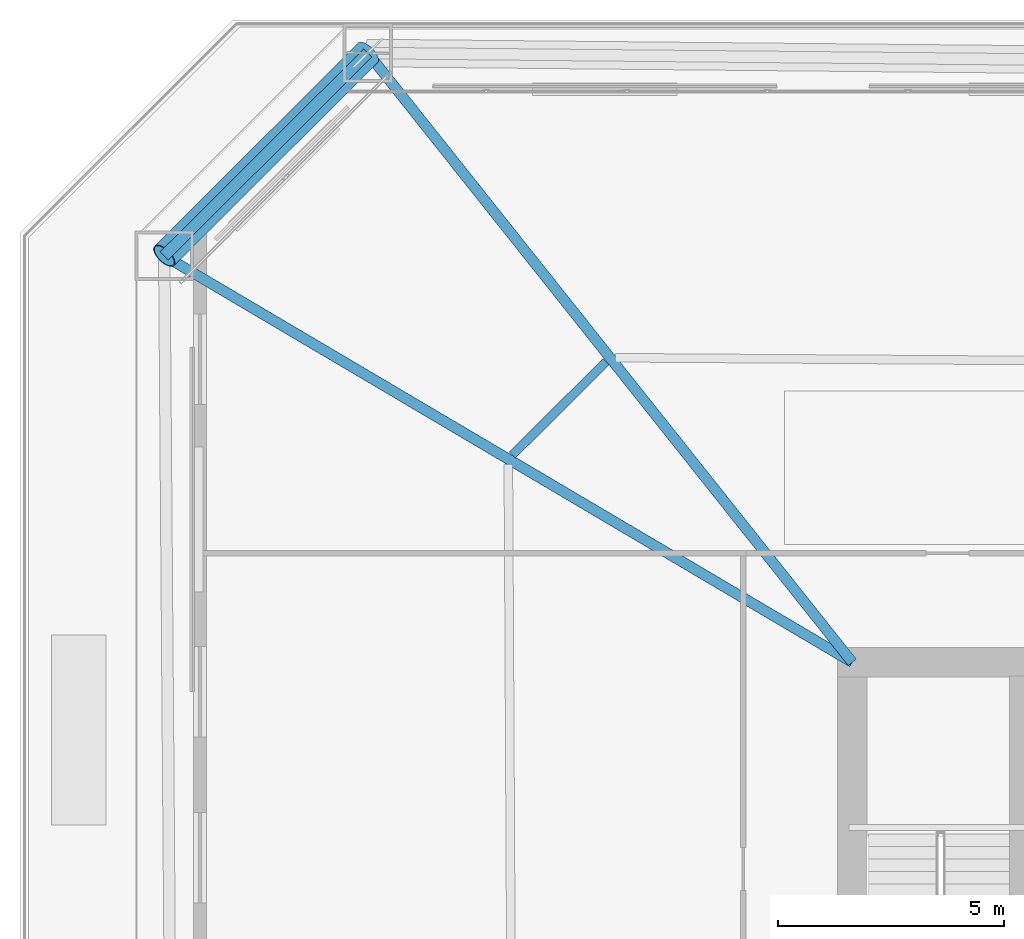
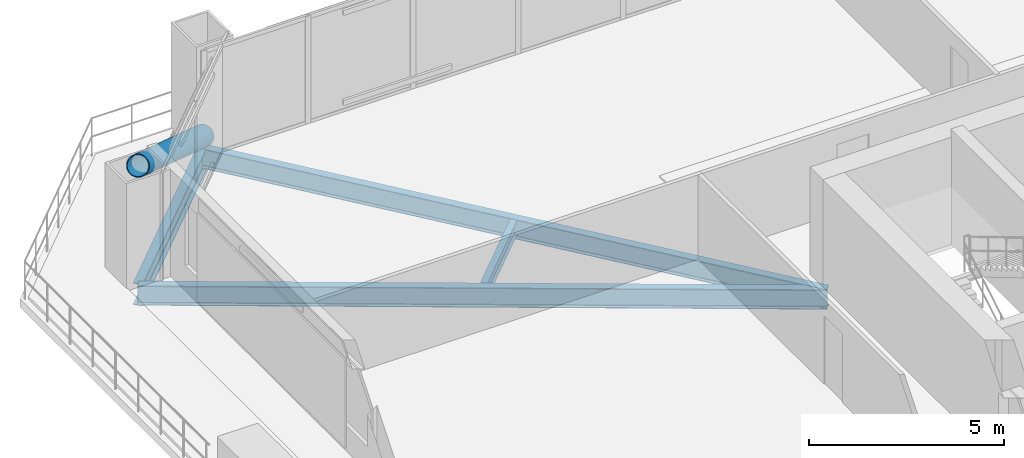
# One storey, part 18 of 34: 4 beams, 1 member.
"""IFC4 building model written with IfcOpenShell, lengths in metres."""

import ifcopenshell
import ifcopenshell.guid

model = None  # the IFC model being written
_history = None  # IfcOwnerHistory: only IFC2X3 demands one
_inside = {}  # id of a spatial element -> (the spatial element, [elements in it])
_under = {}  # id of a project, library or spatial element -> (it, [spatial elements below it])
_declared = {}  # id of a project -> (the project, [libraries it declares])
_typed = {}  # id of a type object -> (the type object, [elements of that type])
_made_of = {}  # id of a material, layer set ... -> (it, [elements and type objects made of it])


def new_model(schema):
    """Start an empty IFC model of exactly this schema.

    Asked for "IFC4X3", IfcOpenShell would pick the latest addendum, in which some entities
    have other attributes; the version numbers below select the first issue.
    IFC2X3 requires an IfcOwnerHistory on every rooted entity: one is made here for all.
    """
    global model, _history
    if schema == "IFC4X3":
        model = ifcopenshell.file(schema_version=(4, 3, 0, 0))
    else:
        model = ifcopenshell.file(schema=schema)
    _inside.clear()
    _under.clear()
    _declared.clear()
    _typed.clear()
    _made_of.clear()
    _history = None
    if model.schema == "IFC2X3":
        org = make("IfcOrganization", Name="unknown")
        user = make(
            "IfcPersonAndOrganization",
            ThePerson=make("IfcPerson", FamilyName="unknown"),
            TheOrganization=org,
        )
        app = make(
            "IfcApplication",
            ApplicationDeveloper=org,
            Version="unknown",
            ApplicationFullName="unknown",
            ApplicationIdentifier="unknown",
        )
        _history = make(
            "IfcOwnerHistory",
            OwningUser=user,
            OwningApplication=app,
            ChangeAction="ADDED",
            CreationDate=0,
        )
    return model


def make(cls, **values):
    """One entity of the class cls with the attributes given. An attribute that is None is left unset."""
    return model.create_entity(
        cls, **{name: value for name, value in values.items() if value is not None}
    )


def rooted(cls, **values):
    """An entity with a GlobalId (a new one), such as an element, a storey or a relation."""
    return make(cls, GlobalId=ifcopenshell.guid.new(), OwnerHistory=_history, **values)


def si_unit(unit_type, name, prefix=None):
    """IfcSIUnit, for example si_unit("LENGTHUNIT", "METRE", prefix="MILLI")."""
    return make("IfcSIUnit", UnitType=unit_type, Prefix=prefix, Name=name)


def assignment(units):
    """IfcUnitAssignment: the units of a project."""
    return None if units is None else make("IfcUnitAssignment", Units=units)


def point(xyz):
    """IfcCartesianPoint."""
    return None if xyz is None else make("IfcCartesianPoint", Coordinates=xyz)


def direction(xyz):
    """IfcDirection."""
    return None if xyz is None else make("IfcDirection", DirectionRatios=xyz)


def frame(location, z_axis=None, x_axis=None):
    """IfcAxis2Placement3D, a coordinate frame: its origin and axes. An axis left out is left unset."""
    return make(
        "IfcAxis2Placement3D",
        Location=point(location),
        Axis=direction(z_axis),
        RefDirection=direction(x_axis),
    )


def frame_2d(location, x_axis=None):
    """IfcAxis2Placement2D, a coordinate frame in the plane: its origin and x axis."""
    return make(
        "IfcAxis2Placement2D", Location=point(location), RefDirection=direction(x_axis)
    )


def origin():
    """The frame at (0, 0, 0) with its axes left unset."""
    return frame((0.0, 0.0, 0.0))


def origin_2d():
    """The frame at (0, 0) in the plane with its x axis left unset."""
    return frame_2d((0.0, 0.0))


def place(relative_to, where):
    """IfcLocalPlacement: puts the frame where relative to a parent placement (None: the world)."""
    return make(
        "IfcLocalPlacement", PlacementRelTo=relative_to, RelativePlacement=where
    )


def context(
    kind, dimensions, precision=None, world=None, true_north=None, identifier=None
):
    """IfcGeometricRepresentationContext, for example the 3D "Model" context."""
    return make(
        "IfcGeometricRepresentationContext",
        ContextIdentifier=identifier,
        ContextType=kind,
        CoordinateSpaceDimension=dimensions,
        Precision=precision,
        WorldCoordinateSystem=world,
        TrueNorth=true_north,
    )


def subcontext(parent, identifier, kind, view, scale=None):
    """IfcGeometricRepresentationSubContext, for example "Body" below "Model"."""
    return make(
        "IfcGeometricRepresentationSubContext",
        ContextIdentifier=identifier,
        ContextType=kind,
        ParentContext=parent,
        TargetScale=scale,
        TargetView=view,
    )


def project(units=None, contexts=None):
    """IfcProject with its units and contexts."""
    return rooted(
        "IfcProject",
        Name="project",
        RepresentationContexts=contexts,
        UnitsInContext=assignment(units),
    )


def spatial(cls, under=None, at=None, **own):
    """A site, building, storey or space (cls), placed at a placement, below another one or the project."""
    s = rooted(cls, ObjectPlacement=at, **own)
    if under is not None:
        _under.setdefault(under.id(), (under, []))[1].append(s)
    return s


def profile(cls, at=None, kind="AREA", **sizes):
    """A parametric profile (cls). Its sizes go by their IFC names, for example OverallWidth=200.0."""
    return make(cls, ProfileType=kind, Position=at, **sizes)


def hollow_circle(**sizes):
    """IfcCircleHollowProfileDef."""
    return profile("IfcCircleHollowProfileDef", **sizes)


def i_section(**sizes):
    """IfcIShapeProfileDef."""
    return profile("IfcIShapeProfileDef", **sizes)


def extrude(swept, where, along, depth):
    """IfcExtrudedAreaSolid: the profile swept, set in the frame where, extruded along a direction by depth."""
    return make(
        "IfcExtrudedAreaSolid",
        SweptArea=swept,
        Position=where,
        ExtrudedDirection=direction(along),
        Depth=depth,
    )


def shape(context_of_items, identifier, shape_type, items):
    """IfcShapeRepresentation: the items that make up one representation, for example the "Body"."""
    return make(
        "IfcShapeRepresentation",
        ContextOfItems=context_of_items,
        RepresentationIdentifier=identifier,
        RepresentationType=shape_type,
        Items=items,
    )


def material(Name=None, Category=None):
    """IfcMaterial."""
    return make("IfcMaterial", Name=Name, Category=Category)


def material_profile(
    of_material, cross_section, Name=None, Category=None, Priority=None
):
    """IfcMaterialProfile: a cross section and its material."""
    return make(
        "IfcMaterialProfile",
        Name=Name,
        Material=of_material,
        Profile=cross_section,
        Priority=Priority,
        Category=Category,
    )


def profile_set(profiles, Name=None, composite=None):
    """IfcMaterialProfileSet."""
    return make(
        "IfcMaterialProfileSet",
        Name=Name,
        MaterialProfiles=profiles,
        CompositeProfile=composite,
    )


def made_of(thing, what):
    """Note that an element or type object is made of a material, layer set ...; save() writes the relation."""
    if what is not None:
        _made_of.setdefault(what.id(), (what, []))[1].append(thing)
    return thing


def type_object(cls, material=None, **own):
    """A type object (cls), such as IfcWallType, which elements share."""
    return made_of(rooted(cls, **own), material)


def element(
    cls,
    number,
    at=None,
    inside=None,
    cuts=None,
    type_object=None,
    material=None,
    context=None,
    identifier="Body",
    shape_type=None,
    held_by="IfcProductDefinitionShape",
    body=None,
    shapes=None,
    **own,
):
    """One element of the class cls, such as IfcWall. Its Tag is "e" and its number.

    at: its placement. inside: the storey or other place that contains it. cuts: it is an
    opening in that element (IfcRelVoidsElement). A single representation is given by context,
    identifier, shape_type and body (its items); several are given by shapes. held_by: the class
    of the entity that holds the representations. save() writes the other relations.
    """
    e = rooted(cls, Tag="e%d" % number, ObjectPlacement=at, **own)
    if body is not None:
        shapes = [shape(context, identifier, shape_type, body)]
    if shapes is not None:
        e.Representation = make(held_by, Representations=shapes)
    if inside is not None:
        _inside.setdefault(inside.id(), (inside, []))[1].append(e)
    if cuts is not None:
        rooted(
            "IfcRelVoidsElement", RelatingBuildingElement=cuts, RelatedOpeningElement=e
        )
    if type_object is not None:
        _typed.setdefault(type_object.id(), (type_object, []))[1].append(e)
    return made_of(e, material)


def aggregate(whole, parts):
    """IfcRelAggregates: a whole, such as a stair, and the parts it consists of."""
    return rooted("IfcRelAggregates", RelatingObject=whole, RelatedObjects=parts)


def save(model, path):
    """Write the relations noted so far, then the file.

    IfcRelAggregates (storeys below a building ...), IfcRelContainedInSpatialStructure (elements
    in a storey), IfcRelDefinesByType, IfcRelAssociatesMaterial and IfcRelDeclares: one each for
    every whole, place, type object, material and project.
    """
    for whole, parts in _under.values():
        aggregate(whole, parts)
    for where, things in _inside.values():
        rooted(
            "IfcRelContainedInSpatialStructure",
            RelatedElements=things,
            RelatingStructure=where,
        )
    for kind, things in _typed.values():
        rooted("IfcRelDefinesByType", RelatedObjects=things, RelatingType=kind)
    for what, things in _made_of.values():
        rooted("IfcRelAssociatesMaterial", RelatedObjects=things, RelatingMaterial=what)
    for by, libraries in _declared.values():
        rooted("IfcRelDeclares", RelatingContext=by, RelatedDefinitions=libraries)
    model.write(path)


model = new_model("IFC4")

# Units and contexts
model_context = context("Model", 3, precision=1e-05, world=origin(), true_north=direction((0.0, 1.0)))
body_context = subcontext(model_context, "Body", "Model", "MODEL_VIEW")
ifc_project = project(units=[si_unit("LENGTHUNIT", "METRE"), si_unit("AREAUNIT", "SQUARE_METRE"), si_unit("VOLUMEUNIT", "CUBIC_METRE"), si_unit("PLANEANGLEUNIT", "RADIAN"), si_unit("MASSUNIT", "GRAM", prefix="KILO")], contexts=[model_context])

# Site, building, storey
site_placement = place(None, origin())
site = spatial("IfcSite", under=ifc_project, at=site_placement, CompositionType="ELEMENT")
building_placement = place(site_placement, origin())
building = spatial("IfcBuilding", under=site, at=building_placement, Name="Caelvoria Tower", CompositionType="ELEMENT")
storey_placement = place(building_placement, frame((0.0, 0.0, 28.0)))
storey = spatial("IfcBuildingStorey", under=building, at=storey_placement, Name="L06", CompositionType="ELEMENT", Elevation=28.0)

# Member
ifc_material_1 = material(Name="Structural Steel ASTM A572 Gr.50", Category="steel")
ifc_material_profile_1 = material_profile(ifc_material_1, hollow_circle(Radius=0.304931640625, WallThickness=0.02490234375, at=origin_2d()), Name="Structural Steel ASTM A572 Gr.50")
ifc_profile_set_1 = profile_set([ifc_material_profile_1], Name="CHS610X25 - Structural Steel ASTM A572 Gr.50")
member_type = type_object("IfcMemberType", Name="Lower Perimeter Mega Brace CHS610X25", PredefinedType="BRACE", material=ifc_profile_set_1)
member_placement = place(storey_placement, frame((26.287109375, 53.469482421875, 0.0), z_axis=(-0.626042587812, -0.623969711632, 0.467688440322), x_axis=(0.705933226257, -0.708278391642, 0.0)))
element("IfcMember", 1, at=member_placement, inside=storey, type_object=member_type, Name="Perimeter Chamfer Mega Brace L06 NW", PredefinedType="BRACE", context=body_context, shape_type="SweptSolid", body=[
    extrude(hollow_circle(Radius=0.304931640625, WallThickness=0.02490234375, at=origin_2d()), origin(), (0.0, 0.0, 1.0), 7.1845703125),
])

# Beams
ifc_material_2 = material(Name="Structural Steel ASTM A992 Gr.50", Category="steel")
ifc_material_profile_2 = material_profile(ifc_material_2, i_section(OverallWidth=0.25390625, OverallDepth=0.68798828125, WebThickness=0.01318359375, FlangeThickness=0.02099609375, FilletRadius=0.01904296875, at=origin_2d()), Name="Structural Steel ASTM A992 Gr.50")
ifc_profile_set_2 = profile_set([ifc_material_profile_2], Name="W690X152 - Structural Steel ASTM A992 Gr.50")
beam_type_1 = type_object("IfcBeamType", Name="Perimeter Spandrel Girder W690X152", PredefinedType="BEAM", material=ifc_profile_set_2)
beam_1_placement = place(storey_placement, frame((26.287109375, 53.469482421875, -0.6640625), z_axis=(-0.708278391642, -0.705933226257, 0.0), x_axis=(0.705933226257, -0.708278391642, 0.0)))
element("IfcBeam", 2, at=beam_1_placement, inside=storey, type_object=beam_type_1, Name="Perimeter Spandrel Girder L06-08", PredefinedType="BEAM", context=body_context, shape_type="SweptSolid", body=[
    extrude(i_section(OverallWidth=0.25390625, OverallDepth=0.68798828125, WebThickness=0.01318359375, FlangeThickness=0.02099609375, FilletRadius=0.01904296875, at=origin_2d()), origin(), (0.0, 0.0, 1.0), 6.350341796875),
])
ifc_material_profile_3 = material_profile(ifc_material_2, i_section(OverallWidth=0.22900390625, OverallDepth=0.612060546875, WebThickness=0.011962890625, FlangeThickness=0.01953125, FilletRadius=0.01806640625, at=origin_2d()), Name="Structural Steel ASTM A992 Gr.50")
ifc_profile_set_3 = profile_set([ifc_material_profile_3], Name="W610X125 - Structural Steel ASTM A992 Gr.50")
beam_type_2 = type_object("IfcBeamType", Name="Primary Radial Floor Girder W610X125", PredefinedType="BEAM", material=ifc_profile_set_3)
beam_2_placement = place(storey_placement, frame((37.0, 40.0, -0.6259765625), z_axis=(-0.622471237323, 0.782642676261, 0.0), x_axis=(-0.782642676261, -0.622471237323, 0.0)))
element("IfcBeam", 3, at=beam_2_placement, inside=storey, type_object=beam_type_2, Name="Primary Floor Girder L06-08", PredefinedType="BEAM", context=body_context, shape_type="SweptSolid", body=[
    extrude(i_section(OverallWidth=0.22900390625, OverallDepth=0.612060546875, WebThickness=0.011962890625, FlangeThickness=0.01953125, FilletRadius=0.01806640625, at=origin_2d()), origin(), (0.0, 0.0, 1.0), 17.210205078125),
])
beam_3_placement = place(storey_placement, frame((37.0, 40.0, -0.6259765625), z_axis=(-0.860965316265, 0.508663665095, 0.0), x_axis=(-0.508663665095, -0.860965316265, 0.0)))
element("IfcBeam", 4, at=beam_3_placement, inside=storey, type_object=beam_type_2, Name="Primary Floor Girder L06-09", PredefinedType="BEAM", context=body_context, shape_type="SweptSolid", body=[
    extrude(i_section(OverallWidth=0.22900390625, OverallDepth=0.612060546875, WebThickness=0.011962890625, FlangeThickness=0.01953125, FilletRadius=0.01806640625, at=origin_2d()), origin(), (0.0, 0.0, 1.0), 17.6669921875),
])
ifc_material_profile_4 = material_profile(ifc_material_2, i_section(OverallWidth=0.18994140625, OverallDepth=0.45703125, WebThickness=0.009033203125, FlangeThickness=0.014404296875, FilletRadius=0.014892578125, at=origin_2d()), Name="Structural Steel ASTM A992 Gr.50")
ifc_profile_set_4 = profile_set([ifc_material_profile_4], Name="W460X74 - Structural Steel ASTM A992 Gr.50")
beam_type_3 = type_object("IfcBeamType", Name="Secondary Floor Beam W460X74", PredefinedType="BEAM", material=ifc_profile_set_4)
beam_4_placement = place(storey_placement, frame((31.554931640625, 46.646484375, -0.548583984375), z_axis=(-0.708274309747, -0.705937321688, 0.0), x_axis=(0.705937321688, -0.708274309747, 0.0)))
element("IfcBeam", 5, at=beam_4_placement, inside=storey, type_object=beam_type_3, Name="Secondary Floor Beam L06-08", PredefinedType="BEAM", context=body_context, shape_type="SweptSolid", body=[
    extrude(i_section(OverallWidth=0.18994140625, OverallDepth=0.45703125, WebThickness=0.009033203125, FlangeThickness=0.014404296875, FilletRadius=0.014892578125, at=origin_2d()), origin(), (0.0, 0.0, 1.0), 2.925048828125),
])

save(model, "model.ifc")
